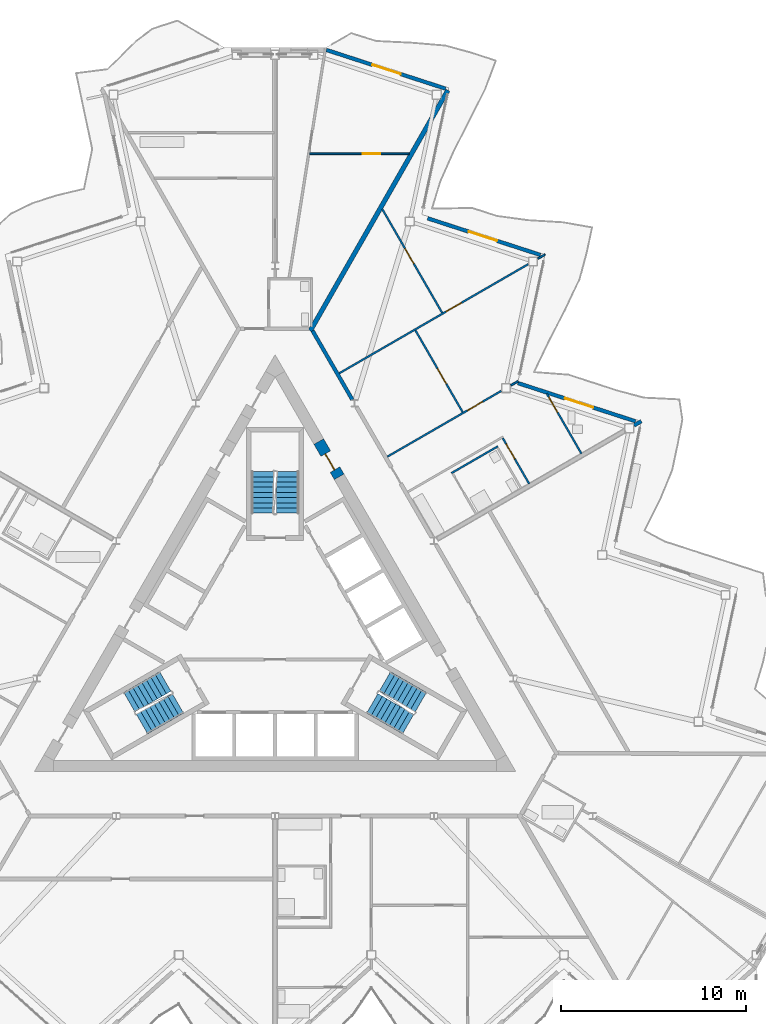
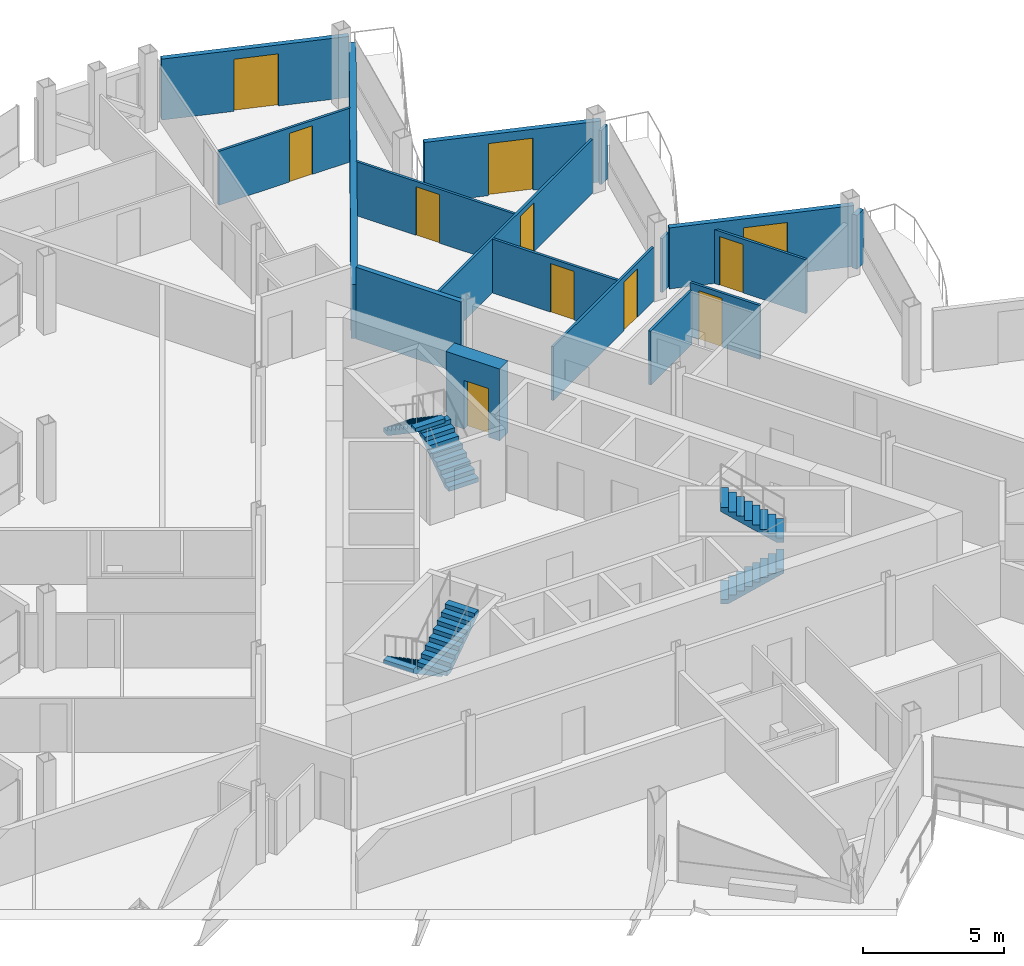
# One storey, part 17 of 26: 17 walls, 11 doors, 6 stair flights, 11 openings, 3 elements without a shape of their own.
"""IFC4 building model written with IfcOpenShell, lengths in metres."""

import ifcopenshell
import ifcopenshell.guid

model = None  # the IFC model being written
_history = None  # IfcOwnerHistory: only IFC2X3 demands one
_inside = {}  # id of a spatial element -> (the spatial element, [elements in it])
_under = {}  # id of a project, library or spatial element -> (it, [spatial elements below it])
_declared = {}  # id of a project -> (the project, [libraries it declares])
_typed = {}  # id of a type object -> (the type object, [elements of that type])
_made_of = {}  # id of a material, layer set ... -> (it, [elements and type objects made of it])


def new_model(schema):
    """Start an empty IFC model of exactly this schema.

    Asked for "IFC4X3", IfcOpenShell would pick the latest addendum, in which some entities
    have other attributes; the version numbers below select the first issue.
    IFC2X3 requires an IfcOwnerHistory on every rooted entity: one is made here for all.
    """
    global model, _history
    if schema == "IFC4X3":
        model = ifcopenshell.file(schema_version=(4, 3, 0, 0))
    else:
        model = ifcopenshell.file(schema=schema)
    _inside.clear()
    _under.clear()
    _declared.clear()
    _typed.clear()
    _made_of.clear()
    _history = None
    if model.schema == "IFC2X3":
        org = make("IfcOrganization", Name="unknown")
        user = make(
            "IfcPersonAndOrganization",
            ThePerson=make("IfcPerson", FamilyName="unknown"),
            TheOrganization=org,
        )
        app = make(
            "IfcApplication",
            ApplicationDeveloper=org,
            Version="unknown",
            ApplicationFullName="unknown",
            ApplicationIdentifier="unknown",
        )
        _history = make(
            "IfcOwnerHistory",
            OwningUser=user,
            OwningApplication=app,
            ChangeAction="ADDED",
            CreationDate=0,
        )
    return model


def make(cls, **values):
    """One entity of the class cls with the attributes given. An attribute that is None is left unset."""
    return model.create_entity(
        cls, **{name: value for name, value in values.items() if value is not None}
    )


def rooted(cls, **values):
    """An entity with a GlobalId (a new one), such as an element, a storey or a relation."""
    return make(cls, GlobalId=ifcopenshell.guid.new(), OwnerHistory=_history, **values)


def si_unit(unit_type, name, prefix=None):
    """IfcSIUnit, for example si_unit("LENGTHUNIT", "METRE", prefix="MILLI")."""
    return make("IfcSIUnit", UnitType=unit_type, Prefix=prefix, Name=name)


def assignment(units):
    """IfcUnitAssignment: the units of a project."""
    return None if units is None else make("IfcUnitAssignment", Units=units)


def point(xyz):
    """IfcCartesianPoint."""
    return None if xyz is None else make("IfcCartesianPoint", Coordinates=xyz)


def direction(xyz):
    """IfcDirection."""
    return None if xyz is None else make("IfcDirection", DirectionRatios=xyz)


def frame(location, z_axis=None, x_axis=None):
    """IfcAxis2Placement3D, a coordinate frame: its origin and axes. An axis left out is left unset."""
    return make(
        "IfcAxis2Placement3D",
        Location=point(location),
        Axis=direction(z_axis),
        RefDirection=direction(x_axis),
    )


def frame_2d(location, x_axis=None):
    """IfcAxis2Placement2D, a coordinate frame in the plane: its origin and x axis."""
    return make(
        "IfcAxis2Placement2D", Location=point(location), RefDirection=direction(x_axis)
    )


def origin():
    """The frame at (0, 0, 0) with its axes left unset."""
    return frame((0.0, 0.0, 0.0))


def place(relative_to, where):
    """IfcLocalPlacement: puts the frame where relative to a parent placement (None: the world)."""
    return make(
        "IfcLocalPlacement", PlacementRelTo=relative_to, RelativePlacement=where
    )


def context(
    kind, dimensions, precision=None, world=None, true_north=None, identifier=None
):
    """IfcGeometricRepresentationContext, for example the 3D "Model" context."""
    return make(
        "IfcGeometricRepresentationContext",
        ContextIdentifier=identifier,
        ContextType=kind,
        CoordinateSpaceDimension=dimensions,
        Precision=precision,
        WorldCoordinateSystem=world,
        TrueNorth=true_north,
    )


def subcontext(parent, identifier, kind, view, scale=None):
    """IfcGeometricRepresentationSubContext, for example "Body" below "Model"."""
    return make(
        "IfcGeometricRepresentationSubContext",
        ContextIdentifier=identifier,
        ContextType=kind,
        ParentContext=parent,
        TargetScale=scale,
        TargetView=view,
    )


def project(units=None, contexts=None):
    """IfcProject with its units and contexts."""
    return rooted(
        "IfcProject",
        Name="project",
        RepresentationContexts=contexts,
        UnitsInContext=assignment(units),
    )


def spatial(cls, under=None, at=None, **own):
    """A site, building, storey or space (cls), placed at a placement, below another one or the project."""
    s = rooted(cls, ObjectPlacement=at, **own)
    if under is not None:
        _under.setdefault(under.id(), (under, []))[1].append(s)
    return s


def polyline(points):
    """IfcPolyline through the points."""
    return make("IfcPolyline", Points=[point(p) for p in points])


def profile(cls, at=None, kind="AREA", **sizes):
    """A parametric profile (cls). Its sizes go by their IFC names, for example OverallWidth=200.0."""
    return make(cls, ProfileType=kind, Position=at, **sizes)


def rectangle(**sizes):
    """IfcRectangleProfileDef."""
    return profile("IfcRectangleProfileDef", **sizes)


def outline(outer, holes=None, kind="AREA"):
    """IfcArbitraryClosedProfileDef: a profile drawn as a closed curve; with holes, ...WithVoids."""
    if holes is None:
        return make("IfcArbitraryClosedProfileDef", ProfileType=kind, OuterCurve=outer)
    return make(
        "IfcArbitraryProfileDefWithVoids",
        ProfileType=kind,
        OuterCurve=outer,
        InnerCurves=holes,
    )


def extrude(swept, where, along, depth):
    """IfcExtrudedAreaSolid: the profile swept, set in the frame where, extruded along a direction by depth."""
    return make(
        "IfcExtrudedAreaSolid",
        SweptArea=swept,
        Position=where,
        ExtrudedDirection=direction(along),
        Depth=depth,
    )


def shape(context_of_items, identifier, shape_type, items):
    """IfcShapeRepresentation: the items that make up one representation, for example the "Body"."""
    return make(
        "IfcShapeRepresentation",
        ContextOfItems=context_of_items,
        RepresentationIdentifier=identifier,
        RepresentationType=shape_type,
        Items=items,
    )


def material(Name=None, Category=None):
    """IfcMaterial."""
    return make("IfcMaterial", Name=Name, Category=Category)


def layer(
    of_material, thickness, ventilated=None, Name=None, Category=None, Priority=None
):
    """IfcMaterialLayer: one layer of a wall or slab, of a material (None: an air gap)."""
    return make(
        "IfcMaterialLayer",
        Material=of_material,
        LayerThickness=thickness,
        IsVentilated=ventilated,
        Name=Name,
        Category=Category,
        Priority=Priority,
    )


def layer_set(layers, Name=None):
    """IfcMaterialLayerSet."""
    return make("IfcMaterialLayerSet", MaterialLayers=layers, LayerSetName=Name)


def made_of(thing, what):
    """Note that an element or type object is made of a material, layer set ...; save() writes the relation."""
    if what is not None:
        _made_of.setdefault(what.id(), (what, []))[1].append(thing)
    return thing


def type_object(cls, material=None, **own):
    """A type object (cls), such as IfcWallType, which elements share."""
    return made_of(rooted(cls, **own), material)


def element(
    cls,
    number,
    at=None,
    inside=None,
    cuts=None,
    type_object=None,
    material=None,
    context=None,
    identifier="Body",
    shape_type=None,
    held_by="IfcProductDefinitionShape",
    body=None,
    shapes=None,
    **own,
):
    """One element of the class cls, such as IfcWall. Its Tag is "e" and its number.

    at: its placement. inside: the storey or other place that contains it. cuts: it is an
    opening in that element (IfcRelVoidsElement). A single representation is given by context,
    identifier, shape_type and body (its items); several are given by shapes. held_by: the class
    of the entity that holds the representations. save() writes the other relations.
    """
    e = rooted(cls, Tag="e%d" % number, ObjectPlacement=at, **own)
    if body is not None:
        shapes = [shape(context, identifier, shape_type, body)]
    if shapes is not None:
        e.Representation = make(held_by, Representations=shapes)
    if inside is not None:
        _inside.setdefault(inside.id(), (inside, []))[1].append(e)
    if cuts is not None:
        rooted(
            "IfcRelVoidsElement", RelatingBuildingElement=cuts, RelatedOpeningElement=e
        )
    if type_object is not None:
        _typed.setdefault(type_object.id(), (type_object, []))[1].append(e)
    return made_of(e, material)


def fill(opening, filler):
    """IfcRelFillsElement: the door or window that sits in an opening."""
    return rooted(
        "IfcRelFillsElement",
        RelatingOpeningElement=opening,
        RelatedBuildingElement=filler,
    )


def aggregate(whole, parts):
    """IfcRelAggregates: a whole, such as a stair, and the parts it consists of."""
    return rooted("IfcRelAggregates", RelatingObject=whole, RelatedObjects=parts)


def save(model, path):
    """Write the relations noted so far, then the file.

    IfcRelAggregates (storeys below a building ...), IfcRelContainedInSpatialStructure (elements
    in a storey), IfcRelDefinesByType, IfcRelAssociatesMaterial and IfcRelDeclares: one each for
    every whole, place, type object, material and project.
    """
    for whole, parts in _under.values():
        aggregate(whole, parts)
    for where, things in _inside.values():
        rooted(
            "IfcRelContainedInSpatialStructure",
            RelatedElements=things,
            RelatingStructure=where,
        )
    for kind, things in _typed.values():
        rooted("IfcRelDefinesByType", RelatedObjects=things, RelatingType=kind)
    for what, things in _made_of.values():
        rooted("IfcRelAssociatesMaterial", RelatedObjects=things, RelatingMaterial=what)
    for by, libraries in _declared.values():
        rooted("IfcRelDeclares", RelatingContext=by, RelatedDefinitions=libraries)
    model.write(path)


model = new_model("IFC4")

# Units and contexts
model_context = context("Model", 3, precision=1e-05, world=origin(), true_north=direction((0.0, 1.0)))
body_context = subcontext(model_context, "Body", "Model", "MODEL_VIEW")
ifc_project = project(units=[si_unit("LENGTHUNIT", "METRE"), si_unit("AREAUNIT", "SQUARE_METRE"), si_unit("VOLUMEUNIT", "CUBIC_METRE"), si_unit("PLANEANGLEUNIT", "RADIAN"), si_unit("MASSUNIT", "GRAM", prefix="KILO")], contexts=[model_context])

# Site, building, storey
site_placement = place(None, origin())
site = spatial("IfcSite", under=ifc_project, at=site_placement, CompositionType="ELEMENT")
building_placement = place(site_placement, origin())
building = spatial("IfcBuilding", under=site, at=building_placement, Name="Cormorant Prow Tower", CompositionType="ELEMENT")
storey_placement = place(building_placement, frame((0.0, 0.0, 364.39990234375)))
storey = spatial("IfcBuildingStorey", under=building, at=storey_placement, Name="L81", CompositionType="ELEMENT", Elevation=364.39990234375)

# Wall, opening, door
ifc_material_1 = material(Name="Concrete 8000 psi", Category="concrete")
ifc_layer_1 = layer(ifc_material_1, 0.60009765625)
ifc_layer_set_1 = layer_set([ifc_layer_1], Name="Concrete 8000 psi")
wall_type_1 = type_object("IfcWallType", Name="Core shear wall 600", PredefinedType="SHEAR", material=ifc_layer_set_1)
wall_1_placement = place(storey_placement, frame((3.460693359375, 8.416748046875, 0.0), z_axis=(0.0, 0.0, 1.0), x_axis=(-0.499946605688, 0.86605622881, 0.0)))
wall_1 = element("IfcWall", 1, at=wall_1_placement, inside=storey, type_object=wall_type_1, Name="Core wall door panel", PredefinedType="SHEAR", context=body_context, shape_type="SweptSolid", body=[
    extrude(rectangle(XDim=2.199951171875, YDim=0.60009765625, at=frame_2d((1.10009765625, 0.0))), origin(), (0.0, 0.0, 1.0), 3.10009765625),
])
opening_1_placement = place(wall_1_placement, frame((0.449951171875, 0.0, 0.0)))
opening_1 = element("IfcOpeningElement", 2, at=opening_1_placement, cuts=wall_1, Name="Opening L81-C17", PredefinedType="OPENING", context=body_context, shape_type="SweptSolid", body=[
    extrude(rectangle(XDim=1.0, YDim=2.10009765625, at=frame_2d((0.5, 1.050048828125))), frame((0.0, 0.31005859375, 0.0), z_axis=(0.0, -1.0, 0.0), x_axis=(1.0, 0.0, 0.0)), (0.0, 0.0, 1.0), 0.6201171875),
])
ifc_material_2 = material(Name="Painted steel", Category="steel")
door_type_1 = type_object("IfcDoorType", Name="Service door 1000x2100", OperationType="NOTDEFINED", PredefinedType="DOOR", material=ifc_material_2)
door_1_placement = place(opening_1_placement, origin())
door_1 = element("IfcDoor", 3, at=door_1_placement, inside=storey, type_object=door_type_1, Name="Core door, Mechanical riser room", OperationType="SINGLE_SWING_RIGHT", OverallHeight=2.10009765625, OverallWidth=1.0, PredefinedType="DOOR", context=body_context, shape_type="SweptSolid", body=[
    extrude(rectangle(XDim=1.0, YDim=2.10009765625, at=frame_2d((0.5, 1.050048828125))), frame((0.0, 0.05517578125, 0.0), z_axis=(0.0, -1.0, 0.0), x_axis=(1.0, 0.0, 0.0)), (0.0, 0.0, 1.0), 0.050048828125),
])
fill(opening_1, door_1)

# Walls
ifc_material_3 = material(Name="Gypsum board corridor wall")
ifc_layer_2 = layer(ifc_material_3, 0.199951171875)
ifc_layer_set_2 = layer_set([ifc_layer_2], Name="Gypsum board corridor wall")
wall_type_2 = type_object("IfcWallType", Name="Corridor wall 200", PredefinedType="PARTITIONING", material=ifc_layer_set_2)
wall_2_placement = place(storey_placement, frame((2.025390625, 16.302978515625, 0.0), z_axis=(0.0, 0.0, 1.0), x_axis=(0.500004215162, -0.866022970146, 0.0)))
element("IfcWall", 4, at=wall_2_placement, inside=storey, type_object=wall_type_2, Name="Corridor wall", PredefinedType="PARTITIONING", context=body_context, shape_type="SweptSolid", body=[
    extrude(rectangle(XDim=4.30029296875, YDim=0.199951171875, at=frame_2d((2.150146484375, 0.0))), origin(), (0.0, 0.0, 1.0), 3.10009765625),
])
ifc_material_4 = material(Name="Gypsum board demising wall")
ifc_layer_3 = layer(ifc_material_4, 0.199951171875)
ifc_layer_set_3 = layer_set([ifc_layer_3], Name="Gypsum board demising wall")
wall_type_3 = type_object("IfcWallType", Name="Demising wall 200", PredefinedType="PARTITIONING", material=ifc_layer_set_3)
wall_3_placement = place(storey_placement, frame((19.388671875, 11.194091796875, 0.0), z_axis=(0.0, 0.0, 1.0), x_axis=(0.866104518135, 0.499862944882, 0.0)))
element("IfcWall", 5, at=wall_3_placement, inside=storey, type_object=wall_type_3, Name="Demising wall", PredefinedType="PARTITIONING", context=body_context, shape_type="SweptSolid", body=[
    extrude(rectangle(XDim=0.451416015625, YDim=0.199951171875, at=frame_2d((0.2255859375, 0.0))), origin(), (0.0, 0.0, 1.0), 2.330078125),
])

# Wall, opening, door
ifc_material_5 = material(Name="Gypsum board partition")
ifc_layer_4 = layer(ifc_material_5, 0.10009765625)
ifc_layer_set_4 = layer_set([ifc_layer_4], Name="Gypsum board partition")
wall_type_4 = type_object("IfcWallType", Name="Internal partition 100", PredefinedType="PARTITIONING", material=ifc_layer_set_4)
wall_4_placement = place(storey_placement, frame((3.465087890625, 14.009521484375, 0.0), z_axis=(0.0, 0.0, 1.0), x_axis=(0.866032376801, 0.499987922186, 0.0)))
wall_4 = element("IfcWall", 6, at=wall_4_placement, inside=storey, type_object=wall_type_4, Name="Internal partition", PredefinedType="PARTITIONING", context=body_context, shape_type="SweptSolid", body=[
    extrude(rectangle(XDim=11.781982421875, YDim=0.10009765625, at=frame_2d((5.89111328125, 0.0))), origin(), (0.0, 0.0, 1.0), 2.330078125),
])
opening_2_placement = place(wall_4_placement, frame((6.669921875, 0.0, 0.0)))
opening_2 = element("IfcOpeningElement", 7, at=opening_2_placement, cuts=wall_4, Name="Opening L81-F25", PredefinedType="OPENING", context=body_context, shape_type="SweptSolid", body=[
    extrude(rectangle(XDim=0.949951171875, YDim=2.10009765625, at=frame_2d((0.47509765625, 1.050048828125))), frame((0.0, 0.06005859375, 0.0), z_axis=(0.0, -1.0, 0.0), x_axis=(1.0, 0.0, 0.0)), (0.0, 0.0, 1.0), 0.1201171875),
])
ifc_material_6 = material(Name="Timber door leaf", Category="wood")
door_type_2 = type_object("IfcDoorType", Name="Bathroom door 950x2100", OperationType="NOTDEFINED", PredefinedType="DOOR", material=ifc_material_6)
door_2_placement = place(opening_2_placement, origin())
door_2 = element("IfcDoor", 8, at=door_2_placement, inside=storey, type_object=door_type_2, Name="Bedroom door", OperationType="SINGLE_SWING_LEFT", OverallHeight=2.10009765625, OverallWidth=0.949951171875, PredefinedType="DOOR", context=body_context, shape_type="SweptSolid", body=[
    extrude(rectangle(XDim=0.949951171875, YDim=2.10009765625, at=frame_2d((0.47509765625, 1.050048828125))), frame((0.0, 0.02490234375, 0.0), z_axis=(0.0, -1.0, 0.0), x_axis=(1.0, 0.0, 0.0)), (0.0, 0.0, 1.0), 0.050048828125),
])
fill(opening_2, door_2)

wall_5_placement = place(storey_placement, frame((6.065185546875, 9.506103515625, 0.0), z_axis=(0.0, 0.0, 1.0), x_axis=(0.866018949465, 0.500011179042, 0.0)))
wall_5 = element("IfcWall", 9, at=wall_5_placement, inside=storey, type_object=wall_type_4, Name="Internal partition", PredefinedType="PARTITIONING", context=body_context, shape_type="SweptSolid", body=[
    extrude(rectangle(XDim=7.099853515625, YDim=0.10009765625, at=frame_2d((3.5498046875, 0.0))), origin(), (0.0, 0.0, 1.0), 2.330078125),
])
opening_3_placement = place(wall_5_placement, frame((4.991943359375, 0.0, 0.0)))
opening_3 = element("IfcOpeningElement", 10, at=opening_3_placement, cuts=wall_5, Name="Opening L81-F23", PredefinedType="OPENING", context=body_context, shape_type="SweptSolid", body=[
    extrude(rectangle(XDim=0.949951171875, YDim=2.10009765625, at=frame_2d((0.47509765625, 1.050048828125))), frame((0.0, 0.06005859375, 0.0), z_axis=(0.0, -1.0, 0.0), x_axis=(1.0, 0.0, 0.0)), (0.0, 0.0, 1.0), 0.1201171875),
])
door_3_placement = place(opening_3_placement, origin())
door_3 = element("IfcDoor", 11, at=door_3_placement, inside=storey, type_object=door_type_2, Name="Living room door", OperationType="SINGLE_SWING_LEFT", OverallHeight=2.10009765625, OverallWidth=0.949951171875, PredefinedType="DOOR", context=body_context, shape_type="SweptSolid", body=[
    extrude(rectangle(XDim=0.949951171875, YDim=2.10009765625, at=frame_2d((0.47509765625, 1.050048828125))), frame((0.0, 0.02490234375, 0.0), z_axis=(0.0, -1.0, 0.0), x_axis=(1.0, 0.0, 0.0)), (0.0, 0.0, 1.0), 0.050048828125),
])
fill(opening_3, door_3)

wall_6_placement = place(storey_placement, frame((5.787353515625, 22.882080078125, 0.0), z_axis=(0.0, 0.0, 1.0), x_axis=(0.500001069878, -0.866024786089, 0.0)))
wall_6 = element("IfcWall", 12, at=wall_6_placement, inside=storey, type_object=wall_type_4, Name="Internal partition", PredefinedType="PARTITIONING", context=body_context, shape_type="SweptSolid", body=[
    extrude(rectangle(XDim=6.47265625, YDim=0.10009765625, at=frame_2d((3.236328125, 0.0))), origin(), (0.0, 0.0, 1.0), 2.330078125),
])
opening_4_placement = place(wall_6_placement, frame((2.4599609375, 0.0, 0.0)))
opening_4 = element("IfcOpeningElement", 13, at=opening_4_placement, cuts=wall_6, Name="Opening L81-F26", PredefinedType="OPENING", context=body_context, shape_type="SweptSolid", body=[
    extrude(rectangle(XDim=0.949951171875, YDim=2.10009765625, at=frame_2d((0.47509765625, 1.050048828125))), frame((0.0, 0.06005859375, 0.0), z_axis=(0.0, -1.0, 0.0), x_axis=(1.0, 0.0, 0.0)), (0.0, 0.0, 1.0), 0.1201171875),
])
door_4_placement = place(opening_4_placement, origin())
door_4 = element("IfcDoor", 14, at=door_4_placement, inside=storey, type_object=door_type_2, Name="Bedroom door", OperationType="SINGLE_SWING_RIGHT", OverallHeight=2.10009765625, OverallWidth=0.949951171875, PredefinedType="DOOR", context=body_context, shape_type="SweptSolid", body=[
    extrude(rectangle(XDim=0.949951171875, YDim=2.10009765625, at=frame_2d((0.47509765625, 1.050048828125))), frame((0.0, 0.02490234375, 0.0), z_axis=(0.0, -1.0, 0.0), x_axis=(1.0, 0.0, 0.0)), (0.0, 0.0, 1.0), 0.050048828125),
])
fill(opening_4, door_4)

wall_7_placement = place(storey_placement, frame((1.8671875, 25.865478515625, 0.0), z_axis=(0.0, 0.0, 1.0), x_axis=(1.0, 0.0, 0.0)))
wall_7 = element("IfcWall", 15, at=wall_7_placement, inside=storey, type_object=wall_type_4, Name="Internal partition", PredefinedType="PARTITIONING", context=body_context, shape_type="SweptSolid", body=[
    extrude(rectangle(XDim=5.37646484375, YDim=0.10009765625, at=frame_2d((2.688232421875, 0.0))), origin(), (0.0, 0.0, 1.0), 2.330078125),
])
opening_5_placement = place(wall_7_placement, frame((2.86767578125, 0.0, 0.0)))
opening_5 = element("IfcOpeningElement", 16, at=opening_5_placement, cuts=wall_7, Name="Opening L81-F34", PredefinedType="OPENING", context=body_context, shape_type="SweptSolid", body=[
    extrude(rectangle(XDim=0.949951171875, YDim=2.10009765625, at=frame_2d((0.47509765625, 1.050048828125))), frame((0.0, 0.06005859375, 0.0), z_axis=(0.0, -1.0, 0.0), x_axis=(1.0, 0.0, 0.0)), (0.0, 0.0, 1.0), 0.1201171875),
])
door_5_placement = place(opening_5_placement, origin())
door_5 = element("IfcDoor", 17, at=door_5_placement, inside=storey, type_object=door_type_2, Name="Bedroom door", OperationType="SINGLE_SWING_LEFT", OverallHeight=2.10009765625, OverallWidth=0.949951171875, PredefinedType="DOOR", context=body_context, shape_type="SweptSolid", body=[
    extrude(rectangle(XDim=0.949951171875, YDim=2.10009765625, at=frame_2d((0.47509765625, 1.050048828125))), frame((0.0, 0.02490234375, 0.0), z_axis=(0.0, -1.0, 0.0), x_axis=(1.0, 0.0, 0.0)), (0.0, 0.0, 1.0), 0.050048828125),
])
fill(opening_5, door_5)

wall_8_placement = place(storey_placement, frame((7.580810546875, 16.327880859375, 0.0), z_axis=(0.0, 0.0, 1.0), x_axis=(0.500005610874, -0.86602216432, 0.0)))
wall_8 = element("IfcWall", 18, at=wall_8_placement, inside=storey, type_object=wall_type_4, Name="Internal partition", PredefinedType="PARTITIONING", context=body_context, shape_type="SweptSolid", body=[
    extrude(rectangle(XDim=5.10009765625, YDim=0.10009765625, at=frame_2d((2.550048828125, 0.0))), origin(), (0.0, 0.0, 1.0), 2.330078125),
])
opening_6_placement = place(wall_8_placement, frame((2.379150390625, 0.0, 0.0)))
opening_6 = element("IfcOpeningElement", 19, at=opening_6_placement, cuts=wall_8, Name="Opening L81-F24", PredefinedType="OPENING", context=body_context, shape_type="SweptSolid", body=[
    extrude(rectangle(XDim=0.949951171875, YDim=2.10009765625, at=frame_2d((0.47509765625, 1.050048828125))), frame((0.0, 0.06005859375, 0.0), z_axis=(0.0, -1.0, 0.0), x_axis=(1.0, 0.0, 0.0)), (0.0, 0.0, 1.0), 0.1201171875),
])
door_6_placement = place(opening_6_placement, origin())
door_6 = element("IfcDoor", 20, at=door_6_placement, inside=storey, type_object=door_type_2, Name="Bedroom door", OperationType="SINGLE_SWING_RIGHT", OverallHeight=2.10009765625, OverallWidth=0.949951171875, PredefinedType="DOOR", context=body_context, shape_type="SweptSolid", body=[
    extrude(rectangle(XDim=0.949951171875, YDim=2.10009765625, at=frame_2d((0.47509765625, 1.050048828125))), frame((0.0, 0.02490234375, 0.0), z_axis=(0.0, -1.0, 0.0), x_axis=(1.0, 0.0, 0.0)), (0.0, 0.0, 1.0), 0.050048828125),
])
fill(opening_6, door_6)

wall_9_placement = place(storey_placement, frame((14.671142578125, 12.917724609375, 0.0), z_axis=(0.0, 0.0, 1.0), x_axis=(0.499981580887, -0.866036037803, 0.0)))
wall_9 = element("IfcWall", 21, at=wall_9_placement, inside=storey, type_object=wall_type_4, Name="Internal partition", PredefinedType="PARTITIONING", context=body_context, shape_type="SweptSolid", body=[
    extrude(rectangle(XDim=3.751708984375, YDim=0.10009765625, at=frame_2d((1.8759765625, 0.0))), origin(), (0.0, 0.0, 1.0), 2.330078125),
])
opening_7_placement = place(wall_9_placement, frame((0.222412109375, 0.0, 0.0)))
opening_7 = element("IfcOpeningElement", 22, at=opening_7_placement, cuts=wall_9, Name="Opening L81-F21", PredefinedType="OPENING", context=body_context, shape_type="SweptSolid", body=[
    extrude(rectangle(XDim=0.949951171875, YDim=2.10009765625, at=frame_2d((0.47509765625, 1.050048828125))), frame((0.0, 0.06005859375, 0.0), z_axis=(0.0, -1.0, 0.0), x_axis=(1.0, 0.0, 0.0)), (0.0, 0.0, 1.0), 0.1201171875),
])
door_7_placement = place(opening_7_placement, origin())
door_7 = element("IfcDoor", 23, at=door_7_placement, inside=storey, type_object=door_type_2, Name="Living room door", OperationType="SINGLE_SWING_LEFT", OverallHeight=2.10009765625, OverallWidth=0.949951171875, PredefinedType="DOOR", context=body_context, shape_type="SweptSolid", body=[
    extrude(rectangle(XDim=0.949951171875, YDim=2.10009765625, at=frame_2d((0.47509765625, 1.050048828125))), frame((0.0, 0.02490234375, 0.0), z_axis=(0.0, -1.0, 0.0), x_axis=(1.0, 0.0, 0.0)), (0.0, 0.0, 1.0), 0.050048828125),
])
fill(opening_7, door_7)

wall_10_placement = place(storey_placement, frame((12.299560546875, 10.507568359375, 0.0), z_axis=(0.0, 0.0, 1.0), x_axis=(0.499999279071, -0.866025820012, 0.0)))
wall_10 = element("IfcWall", 24, at=wall_10_placement, inside=storey, type_object=wall_type_4, Name="Internal partition", PredefinedType="PARTITIONING", context=body_context, shape_type="SweptSolid", body=[
    extrude(rectangle(XDim=2.85009765625, YDim=0.10009765625, at=frame_2d((1.425048828125, 0.0))), origin(), (0.0, 0.0, 1.0), 2.330078125),
])
opening_8_placement = place(wall_10_placement, frame((0.357666015625, 0.0, 0.0)))
opening_8 = element("IfcOpeningElement", 25, at=opening_8_placement, cuts=wall_10, Name="Opening L81-F22", PredefinedType="OPENING", context=body_context, shape_type="SweptSolid", body=[
    extrude(rectangle(XDim=0.949951171875, YDim=2.10009765625, at=frame_2d((0.47509765625, 1.050048828125))), frame((0.0, 0.06005859375, 0.0), z_axis=(0.0, -1.0, 0.0), x_axis=(1.0, 0.0, 0.0)), (0.0, 0.0, 1.0), 0.1201171875),
])
door_8_placement = place(opening_8_placement, origin())
door_8 = element("IfcDoor", 26, at=door_8_placement, inside=storey, type_object=door_type_2, Name="Living room door", OperationType="SINGLE_SWING_LEFT", OverallHeight=2.10009765625, OverallWidth=0.949951171875, PredefinedType="DOOR", context=body_context, shape_type="SweptSolid", body=[
    extrude(rectangle(XDim=0.949951171875, YDim=2.10009765625, at=frame_2d((0.47509765625, 1.050048828125))), frame((0.0, 0.02490234375, 0.0), z_axis=(0.0, -1.0, 0.0), x_axis=(1.0, 0.0, 0.0)), (0.0, 0.0, 1.0), 0.050048828125),
])
fill(opening_8, door_8)

# Walls
wall_11_placement = place(storey_placement, frame((9.5234375, 8.615966796875, 0.0), z_axis=(0.0, 0.0, 1.0), x_axis=(0.866032775405, 0.499987231761, 0.0)))
element("IfcWall", 27, at=wall_11_placement, inside=storey, type_object=wall_type_4, Name="Internal partition", PredefinedType="PARTITIONING", context=body_context, shape_type="SweptSolid", body=[
    extrude(rectangle(XDim=2.89990234375, YDim=0.10009765625, at=frame_2d((1.449951171875, 0.0))), origin(), (0.0, 0.0, 1.0), 2.330078125),
])
for number, where, z_axis, x_axis, name in (
    (28, (14.188720703125, 20.20068359375, 0.0), (0.0, 0.0, 1.0), (0.865870279271, 0.500268587336, 0.0), "Internal partition"),
    (29, (12.73388671875, 13.356201171875, 0.0), (0.0, 0.0, 1.0), (0.865870279271, 0.500268587336, 0.0), "Internal partition"),
):
    element("IfcWall", number, at=place(storey_placement, frame(where, z_axis=z_axis, x_axis=x_axis)), inside=storey, type_object=wall_type_4, Name=name, PredefinedType="PARTITIONING", context=body_context, shape_type="SweptSolid", body=[
        extrude(rectangle(XDim=0.451416015625, YDim=0.10009765625, at=frame_2d((0.2255859375, 0.0))), origin(), (0.0, 0.0, 1.0), 2.330078125),
    ])
ifc_material_7 = material(Name="Acoustic gypsum party wall")
ifc_layer_5 = layer(ifc_material_7, 0.25)
ifc_layer_set_5 = layer_set([ifc_layer_5], Name="Acoustic gypsum party wall")
wall_type_5 = type_object("IfcWallType", Name="Suite party wall 250", PredefinedType="PARTITIONING", material=ifc_layer_set_5)
wall_12_placement = place(storey_placement, frame((1.90087890625, 16.302490234375, 0.0), z_axis=(0.0, 0.0, 1.0), x_axis=(0.496368960053, 0.86811166073, 0.0)))
element("IfcWall", 30, at=wall_12_placement, inside=storey, type_object=wall_type_5, Name="Suite party wall", PredefinedType="PARTITIONING", context=body_context, shape_type="SweptSolid", body=[
    extrude(rectangle(XDim=14.972412109375, YDim=0.25, at=frame_2d((7.486328125, 0.0))), origin(), (0.0, 0.0, 1.0), 2.330078125),
])

# Wall, opening, door
ifc_material_8 = material(Name="Terracotta", Category="masonry")
ifc_layer_6 = layer(ifc_material_8, 0.199951171875)
ifc_layer_set_6 = layer_set([ifc_layer_6], Name="Terracotta")
wall_type_6 = type_object("IfcWallType", Name="Terracotta jamb wall 200", PredefinedType="SOLIDWALL", material=ifc_layer_set_6)
wall_13_placement = place(storey_placement, frame((19.466552734375, 11.416259765625, 0.0), z_axis=(0.0, 0.0, 1.0), x_axis=(-0.951057706878, 0.309013330114, 0.0)))
wall_13 = element("IfcWall", 31, at=wall_13_placement, inside=storey, type_object=wall_type_6, Name="Terracotta jamb wall ENE05", PredefinedType="SOLIDWALL", context=body_context, shape_type="SweptSolid", body=[
    extrude(rectangle(XDim=6.678466796875, YDim=0.199951171875, at=frame_2d((3.33935546875, 0.0))), origin(), (0.0, 0.0, 1.0), 2.634033203125),
])
opening_9_placement = place(wall_13_placement, frame((2.402099609375, 0.0, 0.0)))
opening_9 = element("IfcOpeningElement", 32, at=opening_9_placement, cuts=wall_13, Name="Opening ED81.08", PredefinedType="OPENING", context=body_context, shape_type="SweptSolid", body=[
    extrude(rectangle(XDim=1.60009765625, YDim=2.25, at=frame_2d((0.800048828125, 1.125))), frame((0.0, 0.10986328125, 0.0), z_axis=(0.0, -1.0, 0.0), x_axis=(1.0, 0.0, 0.0)), (0.0, 0.0, 1.0), 0.219970703125),
])
ifc_material_9 = material(Name="Aluminium 6063-T6", Category="aluminium")
door_type_3 = type_object("IfcDoorType", Name="Balcony door 1600x2250", OperationType="DOUBLE_DOOR_SINGLE_SWING", PredefinedType="DOOR", material=ifc_material_9)
door_9_placement = place(opening_9_placement, origin())
door_9 = element("IfcDoor", 33, at=door_9_placement, inside=storey, type_object=door_type_3, Name="Balcony door ENE05 ED81.08", OperationType="DOUBLE_DOOR_SINGLE_SWING", OverallHeight=2.25, OverallWidth=1.60009765625, PredefinedType="DOOR", context=body_context, shape_type="SweptSolid", body=[
    extrude(rectangle(XDim=1.60009765625, YDim=2.25, at=frame_2d((0.800048828125, 1.125))), frame((0.0, 0.02490234375, 0.0), z_axis=(0.0, -1.0, 0.0), x_axis=(1.0, 0.0, 0.0)), (0.0, 0.0, 1.0), 0.050048828125),
])
fill(opening_9, door_9)

wall_14_placement = place(storey_placement, frame((14.33056640625, 20.402099609375, 0.0), z_axis=(0.0, 0.0, 1.0), x_axis=(-0.951058447414, 0.30901105094, 0.0)))
wall_14 = element("IfcWall", 34, at=wall_14_placement, inside=storey, type_object=wall_type_6, Name="Terracotta jamb wall ENE07", PredefinedType="SOLIDWALL", context=body_context, shape_type="SweptSolid", body=[
    extrude(rectangle(XDim=6.40185546875, YDim=0.199951171875, at=frame_2d((3.200927734375, 0.0))), origin(), (0.0, 0.0, 1.0), 2.634033203125),
])
opening_10_placement = place(wall_14_placement, frame((2.46923828125, 0.0, 0.0)))
opening_10 = element("IfcOpeningElement", 35, at=opening_10_placement, cuts=wall_14, Name="Opening ED81.09", PredefinedType="OPENING", context=body_context, shape_type="SweptSolid", body=[
    extrude(rectangle(XDim=1.60009765625, YDim=2.25, at=frame_2d((0.800048828125, 1.125))), frame((0.0, 0.10986328125, 0.0), z_axis=(0.0, -1.0, 0.0), x_axis=(1.0, 0.0, 0.0)), (0.0, 0.0, 1.0), 0.219970703125),
])
door_10_placement = place(opening_10_placement, origin())
door_10 = element("IfcDoor", 36, at=door_10_placement, inside=storey, type_object=door_type_3, Name="Balcony door ENE07 ED81.09", OperationType="DOUBLE_DOOR_SINGLE_SWING", OverallHeight=2.25, OverallWidth=1.60009765625, PredefinedType="DOOR", context=body_context, shape_type="SweptSolid", body=[
    extrude(rectangle(XDim=1.60009765625, YDim=2.25, at=frame_2d((0.800048828125, 1.125))), frame((0.0, 0.02490234375, 0.0), z_axis=(0.0, -1.0, 0.0), x_axis=(1.0, 0.0, 0.0)), (0.0, 0.0, 1.0), 0.050048828125),
])
fill(opening_10, door_10)

wall_15_placement = place(storey_placement, frame((9.216064453125, 29.381103515625, 0.0), z_axis=(0.0, 0.0, 1.0), x_axis=(-0.951058150748, 0.309011964002, 0.0)))
wall_15 = element("IfcWall", 37, at=wall_15_placement, inside=storey, type_object=wall_type_6, Name="Terracotta jamb wall ENE09", PredefinedType="SOLIDWALL", context=body_context, shape_type="SweptSolid", body=[
    extrude(rectangle(XDim=6.77880859375, YDim=0.199951171875, at=frame_2d((3.389404296875, 0.0))), origin(), (0.0, 0.0, 1.0), 2.634033203125),
])
opening_11_placement = place(wall_15_placement, frame((2.559326171875, 0.0, 0.0)))
opening_11 = element("IfcOpeningElement", 38, at=opening_11_placement, cuts=wall_15, Name="Opening ED81.10", PredefinedType="OPENING", context=body_context, shape_type="SweptSolid", body=[
    extrude(rectangle(XDim=1.60009765625, YDim=2.25, at=frame_2d((0.800048828125, 1.125))), frame((0.0, 0.10986328125, 0.0), z_axis=(0.0, -1.0, 0.0), x_axis=(1.0, 0.0, 0.0)), (0.0, 0.0, 1.0), 0.219970703125),
])
door_11_placement = place(opening_11_placement, origin())
door_11 = element("IfcDoor", 39, at=door_11_placement, inside=storey, type_object=door_type_3, Name="Balcony door ENE09 ED81.10", OperationType="DOUBLE_DOOR_SINGLE_SWING", OverallHeight=2.25, OverallWidth=1.60009765625, PredefinedType="DOOR", context=body_context, shape_type="SweptSolid", body=[
    extrude(rectangle(XDim=1.60009765625, YDim=2.25, at=frame_2d((0.800048828125, 1.125))), frame((0.0, 0.02490234375, 0.0), z_axis=(0.0, -1.0, 0.0), x_axis=(1.0, 0.0, 0.0)), (0.0, 0.0, 1.0), 0.050048828125),
])
fill(opening_11, door_11)

# Stair, stair flights
ifc_material_10 = material(Name="Exit stair 18 risers")
stair_type = type_object("IfcStairType", Name="Exit stair 18 risers", PredefinedType="HALF_TURN_STAIR", material=ifc_material_10)
stair_1_placement = place(storey_placement, origin())
stair_1 = element("IfcStair", 40, at=stair_1_placement, inside=storey, type_object=stair_type, Name="L81 Exit stair ST1", PredefinedType="HALF_TURN_STAIR")
ifc_material_11 = material(Name="Concrete 5000 psi", Category="concrete")
stair_flight_type = type_object("IfcStairFlightType", Name="Stair flight 1219", PredefinedType="STRAIGHT", material=ifc_material_11)
stair_flight_1_placement = place(storey_placement, frame((-5.93310546875, -2.635009765625, 0.0), z_axis=(0.0, 0.0, 1.0), x_axis=(-0.866025403784, -0.5, 0.0)))
stair_flight_1 = element("IfcStairFlight", 41, at=stair_flight_1_placement, type_object=stair_flight_type, Name="ST1 flight 1", NumberOfRisers=9, NumberOfTreads=8, PredefinedType="STRAIGHT", RiserHeight=0.188888889, TreadLength=0.28, context=body_context, shape_type="SweptSolid", body=[
    extrude(outline(polyline([(0.0, 0.0), (0.0, 0.18896484375), (0.280029296875, 0.18896484375), (0.280029296875, 0.377685546875), (0.56005859375, 0.377685546875), (0.56005859375, 0.566650390625), (0.840087890625, 0.566650390625), (0.840087890625, 0.755615234375), (1.1201171875, 0.755615234375), (1.1201171875, 0.9443359375), (1.39990234375, 0.9443359375), (1.39990234375, 1.13330078125), (1.679931640625, 1.13330078125), (1.679931640625, 1.322265625), (1.9599609375, 1.322265625), (1.9599609375, 1.51123046875), (2.239990234375, 1.51123046875), (2.239990234375, 1.699951171875), (2.239990234375, 1.330322265625), (0.26806640625, 0.0), (0.0, 0.0)])), frame((0.0, 0.609375, 0.0), z_axis=(0.0, -1.0, 0.0), x_axis=(1.0, 0.0, 0.0)), (0.0, 0.0, 1.0), 1.218994140625),
])
stair_flight_2_placement = place(storey_placement, frame((-7.1884765625, -4.940673828125, 1.7001953125), z_axis=(0.0, 0.0, 1.0), x_axis=(0.866025403784, 0.5, 0.0)))
stair_flight_2 = element("IfcStairFlight", 42, at=stair_flight_2_placement, type_object=stair_flight_type, Name="ST1 flight 2", NumberOfRisers=9, NumberOfTreads=8, PredefinedType="STRAIGHT", RiserHeight=0.188888889, TreadLength=0.28, context=body_context, shape_type="SweptSolid", body=[
    extrude(outline(polyline([(0.0, 0.0), (0.0, 0.18896484375), (0.280029296875, 0.18896484375), (0.280029296875, 0.377685546875), (0.56005859375, 0.377685546875), (0.56005859375, 0.566650390625), (0.840087890625, 0.566650390625), (0.840087890625, 0.755615234375), (1.1201171875, 0.755615234375), (1.1201171875, 0.9443359375), (1.39990234375, 0.9443359375), (1.39990234375, 1.13330078125), (1.679931640625, 1.13330078125), (1.679931640625, 1.322265625), (1.9599609375, 1.322265625), (1.9599609375, 1.51123046875), (2.239990234375, 1.51123046875), (2.239990234375, 1.699951171875), (2.239990234375, 1.330322265625), (0.26806640625, 0.0), (0.0, 0.0)])), frame((0.0, 0.609375, 0.0), z_axis=(0.0, -1.0, 0.0), x_axis=(1.0, 0.0, 0.0)), (0.0, 0.0, 1.0), 1.218994140625),
])
aggregate(stair_1, [stair_flight_1, stair_flight_2])

stair_2_placement = place(storey_placement, origin())
stair_2 = element("IfcStair", 43, at=stair_2_placement, inside=storey, type_object=stair_type, Name="L81 Exit stair ST2", PredefinedType="HALF_TURN_STAIR")
stair_flight_3_placement = place(storey_placement, frame((5.24853515625, -3.82080078125, 0.0), z_axis=(0.0, 0.0, 1.0), x_axis=(0.866025403784, -0.5, 0.0)))
stair_flight_3 = element("IfcStairFlight", 44, at=stair_flight_3_placement, type_object=stair_flight_type, Name="ST2 flight 1", NumberOfRisers=9, NumberOfTreads=8, PredefinedType="STRAIGHT", RiserHeight=0.188888889, TreadLength=0.28, context=body_context, shape_type="SweptSolid", body=[
    extrude(outline(polyline([(0.0, 0.0), (0.0, 0.18896484375), (0.280029296875, 0.18896484375), (0.280029296875, 0.377685546875), (0.56005859375, 0.377685546875), (0.56005859375, 0.566650390625), (0.840087890625, 0.566650390625), (0.840087890625, 0.755615234375), (1.1201171875, 0.755615234375), (1.1201171875, 0.9443359375), (1.39990234375, 0.9443359375), (1.39990234375, 1.13330078125), (1.679931640625, 1.13330078125), (1.679931640625, 1.322265625), (1.9599609375, 1.322265625), (1.9599609375, 1.51123046875), (2.239990234375, 1.51123046875), (2.239990234375, 1.699951171875), (2.239990234375, 1.330322265625), (0.26806640625, 0.0), (0.0, 0.0)])), frame((0.0, 0.609375, 0.0), z_axis=(0.0, -1.0, 0.0), x_axis=(1.0, 0.0, 0.0)), (0.0, 0.0, 1.0), 1.218994140625),
])
stair_flight_4_placement = place(storey_placement, frame((7.873046875, -3.755126953125, 1.7001953125), z_axis=(0.0, 0.0, 1.0), x_axis=(-0.866025403784, 0.5, 0.0)))
stair_flight_4 = element("IfcStairFlight", 45, at=stair_flight_4_placement, type_object=stair_flight_type, Name="ST2 flight 2", NumberOfRisers=9, NumberOfTreads=8, PredefinedType="STRAIGHT", RiserHeight=0.188888889, TreadLength=0.28, context=body_context, shape_type="SweptSolid", body=[
    extrude(outline(polyline([(0.0, 0.0), (0.0, 0.18896484375), (0.280029296875, 0.18896484375), (0.280029296875, 0.377685546875), (0.56005859375, 0.377685546875), (0.56005859375, 0.566650390625), (0.840087890625, 0.566650390625), (0.840087890625, 0.755615234375), (1.1201171875, 0.755615234375), (1.1201171875, 0.9443359375), (1.39990234375, 0.9443359375), (1.39990234375, 1.13330078125), (1.679931640625, 1.13330078125), (1.679931640625, 1.322265625), (1.9599609375, 1.322265625), (1.9599609375, 1.51123046875), (2.239990234375, 1.51123046875), (2.239990234375, 1.699951171875), (2.239990234375, 1.330322265625), (0.26806640625, 0.0), (0.0, 0.0)])), frame((0.0, 0.609375, 0.0), z_axis=(0.0, -1.0, 0.0), x_axis=(1.0, 0.0, 0.0)), (0.0, 0.0, 1.0), 1.218994140625),
])
aggregate(stair_2, [stair_flight_3, stair_flight_4])

stair_3_placement = place(storey_placement, origin())
stair_3 = element("IfcStair", 46, at=stair_3_placement, inside=storey, type_object=stair_type, Name="L81 Exit stair ST3", PredefinedType="HALF_TURN_STAIR")
stair_flight_5_placement = place(storey_placement, frame((0.6845703125, 6.455810546875, 0.0), z_axis=(0.0, 0.0, 1.0), x_axis=(0.0, 1.0, 0.0)))
stair_flight_5 = element("IfcStairFlight", 47, at=stair_flight_5_placement, type_object=stair_flight_type, Name="ST3 flight 1", NumberOfRisers=9, NumberOfTreads=8, PredefinedType="STRAIGHT", RiserHeight=0.188888889, TreadLength=0.28, context=body_context, shape_type="SweptSolid", body=[
    extrude(outline(polyline([(0.0, 0.0), (0.0, 0.18896484375), (0.280029296875, 0.18896484375), (0.280029296875, 0.377685546875), (0.56005859375, 0.377685546875), (0.56005859375, 0.566650390625), (0.840087890625, 0.566650390625), (0.840087890625, 0.755615234375), (1.1201171875, 0.755615234375), (1.1201171875, 0.9443359375), (1.39990234375, 0.9443359375), (1.39990234375, 1.13330078125), (1.679931640625, 1.13330078125), (1.679931640625, 1.322265625), (1.9599609375, 1.322265625), (1.9599609375, 1.51123046875), (2.239990234375, 1.51123046875), (2.239990234375, 1.699951171875), (2.239990234375, 1.330322265625), (0.26806640625, 0.0), (0.0, 0.0)])), frame((0.0, 0.609375, 0.0), z_axis=(0.0, -1.0, 0.0), x_axis=(1.0, 0.0, 0.0)), (0.0, 0.0, 1.0), 1.218994140625),
])
stair_flight_6_placement = place(storey_placement, frame((-0.6845703125, 8.69580078125, 1.7001953125), z_axis=(0.0, 0.0, 1.0), x_axis=(0.0, -1.0, 0.0)))
stair_flight_6 = element("IfcStairFlight", 48, at=stair_flight_6_placement, type_object=stair_flight_type, Name="ST3 flight 2", NumberOfRisers=9, NumberOfTreads=8, PredefinedType="STRAIGHT", RiserHeight=0.188888889, TreadLength=0.28, context=body_context, shape_type="SweptSolid", body=[
    extrude(outline(polyline([(0.0, 0.0), (0.0, 0.18896484375), (0.280029296875, 0.18896484375), (0.280029296875, 0.377685546875), (0.56005859375, 0.377685546875), (0.56005859375, 0.566650390625), (0.840087890625, 0.566650390625), (0.840087890625, 0.755615234375), (1.1201171875, 0.755615234375), (1.1201171875, 0.9443359375), (1.39990234375, 0.9443359375), (1.39990234375, 1.13330078125), (1.679931640625, 1.13330078125), (1.679931640625, 1.322265625), (1.9599609375, 1.322265625), (1.9599609375, 1.51123046875), (2.239990234375, 1.51123046875), (2.239990234375, 1.699951171875), (2.239990234375, 1.330322265625), (0.26806640625, 0.0), (0.0, 0.0)])), frame((0.0, 0.609375, 0.0), z_axis=(0.0, -1.0, 0.0), x_axis=(1.0, 0.0, 0.0)), (0.0, 0.0, 1.0), 1.218994140625),
])
aggregate(stair_3, [stair_flight_5, stair_flight_6])

save(model, "model.ifc")
